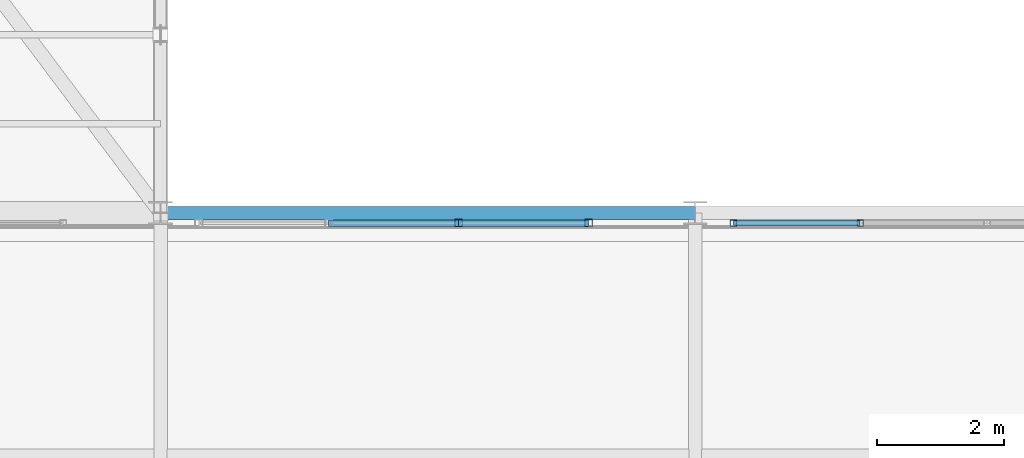
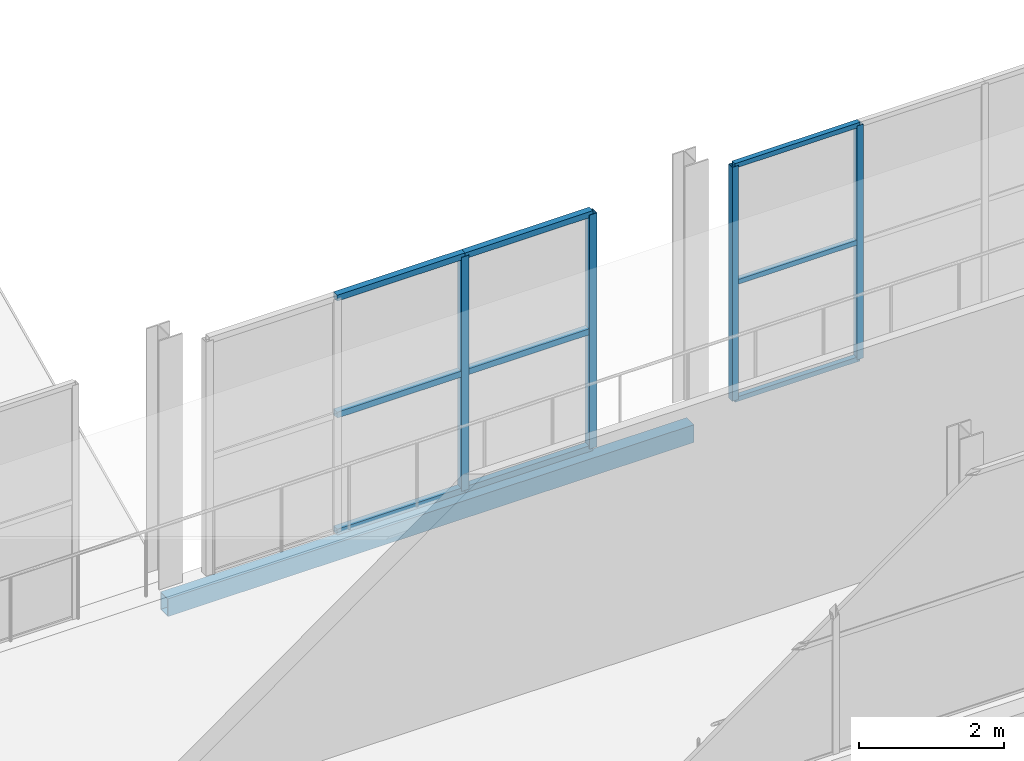
# One storey, part 158 of 217: 13 members, 1 beam, 2 elements without a shape of their own.
"""IFC4 building model written with IfcOpenShell, lengths in metres."""

from ifc_helpers import new_model, si_unit, direction, frame, origin, origin_2d, place, context, subcontext, project, spatial, hollow_rectangle, extrude, material, material_profile, profile_set, type_object, element, aggregate, save


model = new_model("IFC4")

# Units and contexts
model_context = context("Model", 3, precision=1e-05, world=origin(), true_north=direction((0.0, 1.0)))
body_context = subcontext(model_context, "Body", "Model", "MODEL_VIEW")
ifc_project = project(units=[si_unit("LENGTHUNIT", "METRE"), si_unit("AREAUNIT", "SQUARE_METRE"), si_unit("VOLUMEUNIT", "CUBIC_METRE"), si_unit("PLANEANGLEUNIT", "RADIAN"), si_unit("MASSUNIT", "GRAM", prefix="KILO")], contexts=[model_context])

# Site, building, storey
site_placement = place(None, origin())
site = spatial("IfcSite", under=ifc_project, at=site_placement, CompositionType="ELEMENT")
building_placement = place(site_placement, origin())
building = spatial("IfcBuilding", under=site, at=building_placement, Name="Zuvorla Pavilion Media Centre", CompositionType="ELEMENT")
storey_placement = place(building_placement, frame((0.0, 0.0, 9.60009765625)))
storey = spatial("IfcBuildingStorey", under=building, at=storey_placement, Name="L02", CompositionType="ELEMENT", Elevation=9.60009765625)

# Beam
ifc_material_1 = material(Name="Steel S355", Category="steel")
ifc_material_profile_1 = material_profile(ifc_material_1, hollow_rectangle(XDim=0.199951171875, YDim=0.300048828125, WallThickness=0.012451171875, at=origin_2d()), Name="RHS 300x200x12.5")
ifc_profile_set_1 = profile_set([ifc_material_profile_1], Name="Steel S355")
beam_type = type_object("IfcBeamType", Name="BM-SP-RHS300", PredefinedType="SPANDREL", material=ifc_profile_set_1)
beam_placement = place(storey_placement, frame((134.0, 89.60009765625, -0.418212890625), z_axis=(1.0, 0.0, 0.0), x_axis=(0.0, 1.0, 0.0)))
element("IfcBeam", 1, at=beam_placement, inside=storey, type_object=beam_type, Name="L02 spandrel SP01 888", PredefinedType="SPANDREL", context=body_context, shape_type="SweptSolid", body=[
    extrude(hollow_rectangle(XDim=0.199951171875, YDim=0.300048828125, WallThickness=0.012451171875, at=origin_2d()), origin(), (0.0, 0.0, 1.0), 8.39990234375),
])

# Curtain wall, members
ifc_material_2 = material(Name="Unitised anodised aluminium and solar glass curtain wall", Category="aluminium")
curtain_wall_type_1 = type_object("IfcCurtainWallType", Name="CW-SYS-08", PredefinedType="USERDEFINED", material=ifc_material_2)
curtain_wall_1_placement = place(storey_placement, origin())
curtain_wall_1 = element("IfcCurtainWall", 2, at=curtain_wall_1_placement, inside=storey, type_object=curtain_wall_type_1, Name="L02 curtain wall CW08 13", ObjectType="CURTAIN WALL", PredefinedType="USERDEFINED")
ifc_material_3 = material(Name="Anodised aluminium 6063-T6", Category="aluminium")
ifc_material_profile_2 = material_profile(ifc_material_3, hollow_rectangle(XDim=0.10009765625, YDim=0.10009765625, WallThickness=0.00439453125, at=origin_2d()), Name="ALU MULL 100x100")
ifc_profile_set_2 = profile_set([ifc_material_profile_2], Name="Anodised aluminium 6063-T6")
member_type_1 = type_object("IfcMemberType", Name="CW-MULL-100", PredefinedType="MULLION", material=ifc_profile_set_2)
member_1_placement = place(storey_placement, frame((144.994384765625, 89.43994140625, 0.0), z_axis=(0.0, 0.0, 1.0), x_axis=(1.0, 0.0, 0.0)))
member_1 = element("IfcMember", 3, at=member_1_placement, type_object=member_type_1, Name="CW08 mullion 3", PredefinedType="MULLION", context=body_context, shape_type="SweptSolid", body=[
    extrude(hollow_rectangle(XDim=0.10009765625, YDim=0.10009765625, WallThickness=0.00439453125, at=origin_2d()), origin(), (0.0, 0.0, 1.0), 3.949951171875),
])
member_2_placement = place(storey_placement, frame((143.000244140625, 89.43994140625, 0.0), z_axis=(0.0, 0.0, 1.0), x_axis=(1.0, 0.0, 0.0)))
member_2 = element("IfcMember", 4, at=member_2_placement, type_object=member_type_1, Name="CW08 mullion 4", PredefinedType="MULLION", context=body_context, shape_type="SweptSolid", body=[
    extrude(hollow_rectangle(XDim=0.10009765625, YDim=0.10009765625, WallThickness=0.00439453125, at=origin_2d()), origin(), (0.0, 0.0, 1.0), 3.949951171875),
])

curtain_wall_type_2 = type_object("IfcCurtainWallType", Name="CW-SYS-09", PredefinedType="USERDEFINED", material=ifc_material_2)
curtain_wall_2_placement = place(storey_placement, origin())
curtain_wall_2 = element("IfcCurtainWall", 5, at=curtain_wall_2_placement, inside=storey, type_object=curtain_wall_type_2, Name="L02 curtain wall CW09 14", ObjectType="CURTAIN WALL", PredefinedType="USERDEFINED")
ifc_material_profile_3 = material_profile(ifc_material_3, hollow_rectangle(XDim=0.1201171875, YDim=0.1201171875, WallThickness=0.0048828125, at=origin_2d()), Name="ALU MULL 120x120")
ifc_profile_set_3 = profile_set([ifc_material_profile_3], Name="Anodised aluminium 6063-T6")
member_type_2 = type_object("IfcMemberType", Name="CW-MULL-120", PredefinedType="MULLION", material=ifc_profile_set_3)
member_3_placement = place(storey_placement, frame((140.7255859375, 89.43994140625, 0.0), z_axis=(0.0, 0.0, 1.0), x_axis=(1.0, 0.0, 0.0)))
member_3 = element("IfcMember", 6, at=member_3_placement, type_object=member_type_2, Name="CW09 mullion 1", PredefinedType="MULLION", context=body_context, shape_type="SweptSolid", body=[
    extrude(hollow_rectangle(XDim=0.1201171875, YDim=0.1201171875, WallThickness=0.0048828125, at=origin_2d()), origin(), (0.0, 0.0, 1.0), 3.949951171875),
])
member_4_placement = place(storey_placement, frame((138.683837890625, 89.43994140625, 0.0), z_axis=(0.0, 0.0, 1.0), x_axis=(1.0, 0.0, 0.0)))
member_4 = element("IfcMember", 7, at=member_4_placement, type_object=member_type_2, Name="CW09 mullion 2", PredefinedType="MULLION", context=body_context, shape_type="SweptSolid", body=[
    extrude(hollow_rectangle(XDim=0.1201171875, YDim=0.1201171875, WallThickness=0.0048828125, at=origin_2d()), origin(), (0.0, 0.0, 1.0), 3.949951171875),
])
ifc_material_profile_4 = material_profile(ifc_material_3, hollow_rectangle(XDim=0.10009765625, YDim=0.10009765625, WallThickness=0.00439453125, at=origin_2d()), Name="ALU TRAN 100x100")
ifc_profile_set_4 = profile_set([ifc_material_profile_4], Name="Anodised aluminium 6063-T6")
member_type_3 = type_object("IfcMemberType", Name="CW-TRAN-100", PredefinedType="USERDEFINED", material=ifc_profile_set_4)
member_5_placement = place(storey_placement, frame((140.7255859375, 89.43994140625, 0.0), z_axis=(-1.0, 0.0, 0.0), x_axis=(0.0, -1.0, 0.0)))
member_5 = element("IfcMember", 8, at=member_5_placement, type_object=member_type_3, Name="CW09 transom 1.1", ObjectType="TRANSOM", PredefinedType="USERDEFINED", context=body_context, shape_type="SweptSolid", body=[
    extrude(hollow_rectangle(XDim=0.10009765625, YDim=0.10009765625, WallThickness=0.00439453125, at=origin_2d()), origin(), (0.0, 0.0, 1.0), 2.041748046875),
])
member_6_placement = place(storey_placement, frame((140.7255859375, 89.43994140625, 1.974853515625), z_axis=(-1.0, 0.0, 0.0), x_axis=(0.0, -1.0, 0.0)))
member_6 = element("IfcMember", 9, at=member_6_placement, type_object=member_type_3, Name="CW09 transom 1.2", ObjectType="TRANSOM", PredefinedType="USERDEFINED", context=body_context, shape_type="SweptSolid", body=[
    extrude(hollow_rectangle(XDim=0.10009765625, YDim=0.10009765625, WallThickness=0.00439453125, at=origin_2d()), origin(), (0.0, 0.0, 1.0), 2.041748046875),
])
member_7_placement = place(storey_placement, frame((140.7255859375, 89.43994140625, 3.949951171875), z_axis=(-1.0, 0.0, 0.0), x_axis=(0.0, -1.0, 0.0)))
member_7 = element("IfcMember", 10, at=member_7_placement, type_object=member_type_3, Name="CW09 transom 1.3", ObjectType="TRANSOM", PredefinedType="USERDEFINED", context=body_context, shape_type="SweptSolid", body=[
    extrude(hollow_rectangle(XDim=0.10009765625, YDim=0.10009765625, WallThickness=0.00439453125, at=origin_2d()), origin(), (0.0, 0.0, 1.0), 2.041748046875),
])
member_8_placement = place(storey_placement, frame((138.683837890625, 89.43994140625, 0.0), z_axis=(-1.0, 0.0, 0.0), x_axis=(0.0, -1.0, 0.0)))
member_8 = element("IfcMember", 11, at=member_8_placement, type_object=member_type_3, Name="CW09 transom 2.1", ObjectType="TRANSOM", PredefinedType="USERDEFINED", context=body_context, shape_type="SweptSolid", body=[
    extrude(hollow_rectangle(XDim=0.10009765625, YDim=0.10009765625, WallThickness=0.00439453125, at=origin_2d()), origin(), (0.0, 0.0, 1.0), 2.041748046875),
])
member_9_placement = place(storey_placement, frame((138.683837890625, 89.43994140625, 1.974853515625), z_axis=(-1.0, 0.0, 0.0), x_axis=(0.0, -1.0, 0.0)))
member_9 = element("IfcMember", 12, at=member_9_placement, type_object=member_type_3, Name="CW09 transom 2.2", ObjectType="TRANSOM", PredefinedType="USERDEFINED", context=body_context, shape_type="SweptSolid", body=[
    extrude(hollow_rectangle(XDim=0.10009765625, YDim=0.10009765625, WallThickness=0.00439453125, at=origin_2d()), origin(), (0.0, 0.0, 1.0), 2.041748046875),
])
member_10_placement = place(storey_placement, frame((138.683837890625, 89.43994140625, 3.949951171875), z_axis=(-1.0, 0.0, 0.0), x_axis=(0.0, -1.0, 0.0)))
member_10 = element("IfcMember", 13, at=member_10_placement, type_object=member_type_3, Name="CW09 transom 2.3", ObjectType="TRANSOM", PredefinedType="USERDEFINED", context=body_context, shape_type="SweptSolid", body=[
    extrude(hollow_rectangle(XDim=0.10009765625, YDim=0.10009765625, WallThickness=0.00439453125, at=origin_2d()), origin(), (0.0, 0.0, 1.0), 2.041748046875),
])
aggregate(curtain_wall_2, [member_3, member_4, member_5, member_6, member_7, member_8, member_9, member_10])

# Member
ifc_material_profile_5 = material_profile(ifc_material_3, hollow_rectangle(XDim=0.080078125, YDim=0.080078125, WallThickness=0.00390625, at=origin_2d()), Name="ALU TRAN 80x80")
ifc_profile_set_5 = profile_set([ifc_material_profile_5], Name="Anodised aluminium 6063-T6")
member_type_4 = type_object("IfcMemberType", Name="CW-TRAN-80", PredefinedType="USERDEFINED", material=ifc_profile_set_5)
member_11_placement = place(storey_placement, frame((144.994384765625, 89.43994140625, 0.0), z_axis=(-1.0, 0.0, 0.0), x_axis=(0.0, -1.0, 0.0)))
member_11 = element("IfcMember", 14, at=member_11_placement, type_object=member_type_4, Name="CW08 transom 3.1", ObjectType="TRANSOM", PredefinedType="USERDEFINED", context=body_context, shape_type="SweptSolid", body=[
    extrude(hollow_rectangle(XDim=0.080078125, YDim=0.080078125, WallThickness=0.00390625, at=origin_2d()), origin(), (0.0, 0.0, 1.0), 1.994140625),
])

member_12_placement = place(storey_placement, frame((144.994384765625, 89.43994140625, 1.974853515625), z_axis=(-1.0, 0.0, 0.0), x_axis=(0.0, -1.0, 0.0)))
member_12 = element("IfcMember", 15, at=member_12_placement, type_object=member_type_4, Name="CW08 transom 3.2", ObjectType="TRANSOM", PredefinedType="USERDEFINED", context=body_context, shape_type="SweptSolid", body=[
    extrude(hollow_rectangle(XDim=0.080078125, YDim=0.080078125, WallThickness=0.00390625, at=origin_2d()), origin(), (0.0, 0.0, 1.0), 1.994140625),
])

member_13_placement = place(storey_placement, frame((144.994384765625, 89.43994140625, 3.949951171875), z_axis=(-1.0, 0.0, 0.0), x_axis=(0.0, -1.0, 0.0)))
member_13 = element("IfcMember", 16, at=member_13_placement, type_object=member_type_4, Name="CW08 transom 3.3", ObjectType="TRANSOM", PredefinedType="USERDEFINED", context=body_context, shape_type="SweptSolid", body=[
    extrude(hollow_rectangle(XDim=0.080078125, YDim=0.080078125, WallThickness=0.00390625, at=origin_2d()), origin(), (0.0, 0.0, 1.0), 1.994140625),
])

aggregate(curtain_wall_1, [member_1, member_2, member_11, member_12, member_13])

save(model, "model.ifc")
